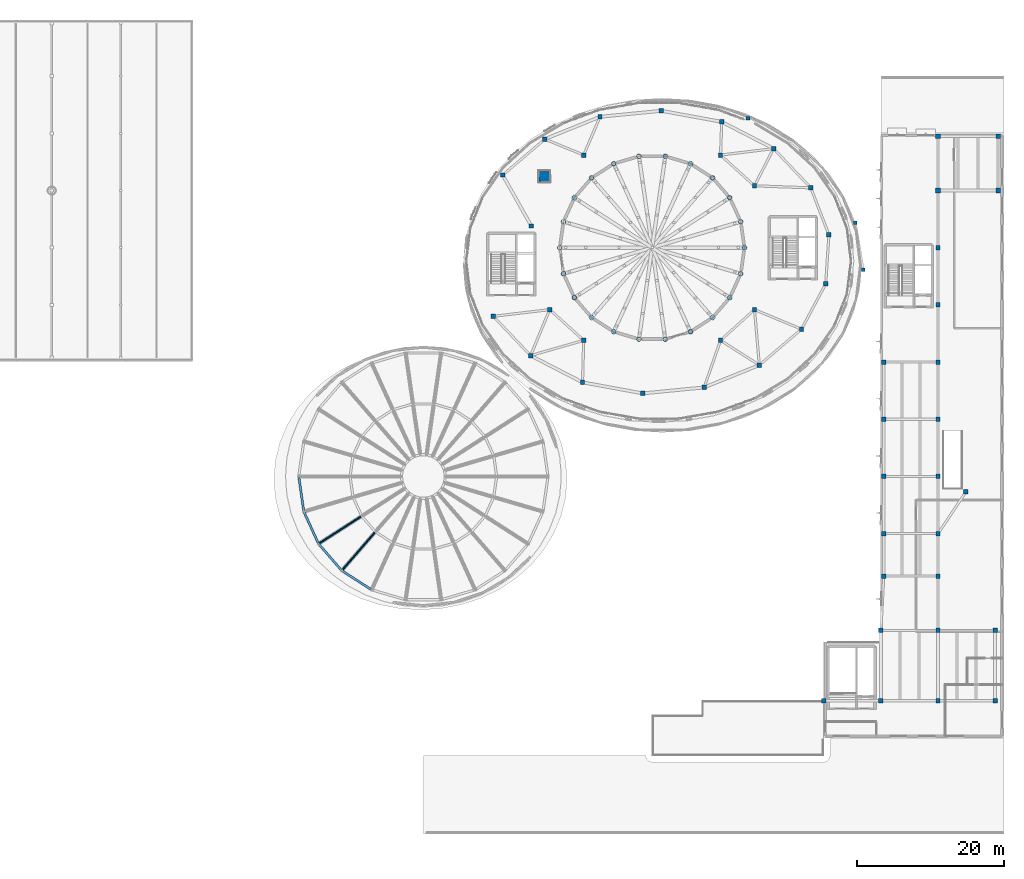
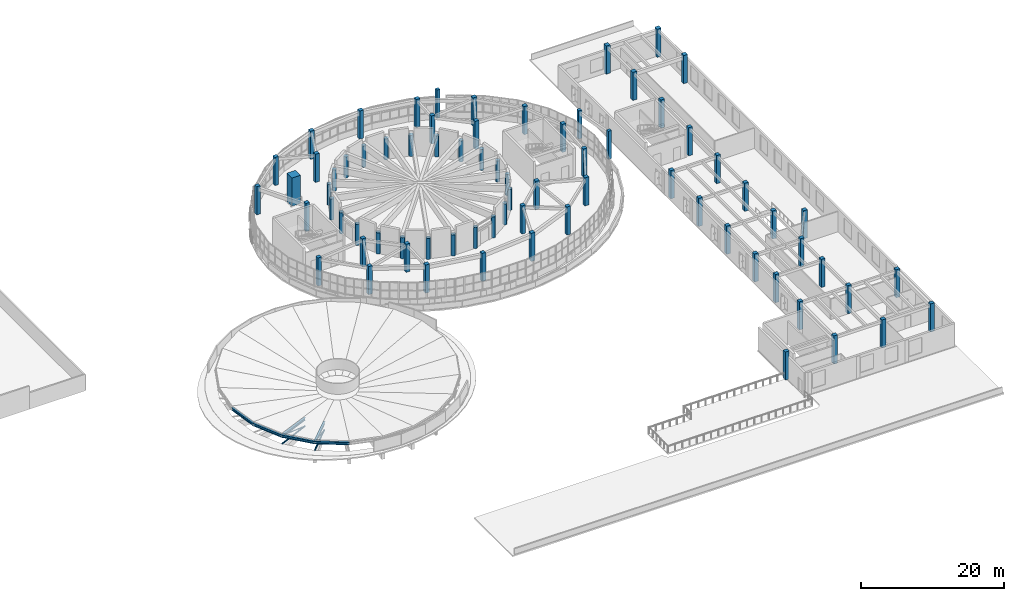
# One storey, part 1 of 69: 74 columns, 6 members, 4 beams.
"""IFC4 building model written with IfcOpenShell, lengths in metres."""

from ifc_helpers import new_model, si_unit, direction, frame, origin, origin_2d, place, context, subcontext, project, spatial, rectangle, circle, hollow_circle, i_section, extrude, material, material_profile, profile_set, type_object, element, save


model = new_model("IFC4")

# Units and contexts
model_context = context("Model", 3, precision=1e-05, world=origin(), true_north=direction((0.0, 1.0)))
body_context = subcontext(model_context, "Body", "Model", "MODEL_VIEW")
ifc_project = project(units=[si_unit("LENGTHUNIT", "METRE"), si_unit("AREAUNIT", "SQUARE_METRE"), si_unit("VOLUMEUNIT", "CUBIC_METRE"), si_unit("PLANEANGLEUNIT", "RADIAN"), si_unit("MASSUNIT", "GRAM", prefix="KILO")], contexts=[model_context])

# Site, building, storey
site_placement = place(None, origin())
site = spatial("IfcSite", under=ifc_project, at=site_placement, CompositionType="ELEMENT")
building_placement = place(site_placement, origin())
building = spatial("IfcBuilding", under=site, at=building_placement, Name="Pelvatis Terrace Science Centre", CompositionType="ELEMENT")
storey_placement = place(building_placement, frame((0.0, 0.0, 15.0)))
storey = spatial("IfcBuildingStorey", under=building, at=storey_placement, Name="L03", CompositionType="ELEMENT", Elevation=15.0)

# Columns
ifc_material_1 = material(Name="Concrete C40/50", Category="concrete")
ifc_material_profile_1 = material_profile(ifc_material_1, rectangle(XDim=1.39990234375, YDim=1.39990234375, at=origin_2d()), Name="RC-COL 1400x1400")
ifc_profile_set_1 = profile_set([ifc_material_profile_1], Name="Concrete C40/50")
column_type_1 = type_object("IfcColumnType", Name="COL-PIER-1400", PredefinedType="COLUMN", material=ifc_profile_set_1)
column_placement = place(storey_placement, frame((94.5, 95.5, 0.0), z_axis=(0.0, 0.0, 1.0), x_axis=(1.0, 0.0, 0.0)))
element("IfcColumn", 1, at=column_placement, inside=storey, type_object=column_type_1, Name="Column PIER-OBS (L03)", PredefinedType="COLUMN", context=body_context, shape_type="SweptSolid", body=[
    extrude(rectangle(XDim=1.39990234375, YDim=1.39990234375, at=origin_2d()), origin(), (0.0, 0.0, 1.0), 4.800048828125),
])
ifc_material_2 = material(Name="Concrete C40/50", Category="concrete")
ifc_material_profile_2 = material_profile(ifc_material_2, rectangle(XDim=0.5, YDim=0.5, at=origin_2d()), Name="RC-COL 500x500")
ifc_profile_set_2 = profile_set([ifc_material_profile_2], Name="Concrete C40/50")
column_type_2 = type_object("IfcColumnType", Name="COL-RC-500x500", PredefinedType="COLUMN", material=ifc_profile_set_2)
for number, where, z_axis, x_axis, name in (
    (2, (138.0, 82.800048828125, 0.0), (0.0, 0.0, 1.0), (1.0, 0.0, 0.0), "Column V1E-ST-01 (L03)"),
    (3, (136.910400390625, 89.1953125, 0.0), (0.0, 0.0, 1.0), (1.0, 0.0, 0.0), "Column V1E-ST-02 (L03)"),
    (4, (122.274658203125, 103.448486328125, 0.0), (0.0, 0.0, 1.0), (1.0, 0.0, 0.0), "Column V1E-ST-05 (L03)"),
):
    element("IfcColumn", number, at=place(storey_placement, frame(where, z_axis=z_axis, x_axis=x_axis)), inside=storey, type_object=column_type_2, Name=name, PredefinedType="COLUMN", context=body_context, shape_type="SweptSolid", body=[
        extrude(rectangle(XDim=0.5, YDim=0.5, at=origin_2d()), origin(), (0.0, 0.0, 1.0), 4.800048828125),
    ])
ifc_material_3 = material(Name="Concrete C40/50", Category="concrete")
ifc_material_profile_3 = material_profile(ifc_material_3, rectangle(XDim=0.60009765625, YDim=0.60009765625, at=origin_2d()), Name="RC-COL 600x600")
ifc_profile_set_3 = profile_set([ifc_material_profile_3], Name="Concrete C40/50")
column_type_3 = type_object("IfcColumnType", Name="COL-RC-600x600", PredefinedType="COLUMN", material=ifc_profile_set_3)
for number, where, z_axis, x_axis, name in (
    (5, (133.31884765625, 87.552001953125, 0.0), (0.0, 0.0, 1.0), (1.0, 0.0, 0.0), "Column V1E-RF-01 (L03)"),
    (6, (130.8515625, 93.9619140625, 0.0), (0.0, 0.0, 1.0), (1.0, 0.0, 0.0), "Column V1E-RF-02 (L03)"),
    (7, (125.772705078125, 99.315185546875, 0.0), (0.0, 0.0, 1.0), (1.0, 0.0, 0.0), "Column V1E-RF-03 (L03)"),
    (8, (118.69482421875, 102.9658203125, 0.0), (0.0, 0.0, 1.0), (1.0, 0.0, 0.0), "Column V1E-RF-04 (L03)"),
    (9, (110.4716796875, 104.4736328125, 0.0), (0.0, 0.0, 1.0), (1.0, 0.0, 0.0), "Column V1E-RF-05 (L03)"),
    (10, (102.095458984375, 103.65673828125, 0.0), (0.0, 0.0, 1.0), (1.0, 0.0, 0.0), "Column V1E-RF-06 (L03)"),
    (11, (94.575927734375, 100.61376953125, 0.0), (0.0, 0.0, 1.0), (1.0, 0.0, 0.0), "Column V1E-RF-07 (L03)"),
    (12, (88.8203125, 95.71142578125, 0.0), (0.0, 0.0, 1.0), (1.0, 0.0, 0.0), "Column V1E-RF-08 (L03)"),
    (13, (87.548583984375, 76.43798828125, 0.0), (0.0, 0.0, 1.0), (1.0, 0.0, 0.0), "Column V1E-RF-11 (L03)"),
    (14, (92.62744140625, 71.0849609375, 0.0), (0.0, 0.0, 1.0), (1.0, 0.0, 0.0), "Column V1E-RF-12 (L03)"),
    (15, (99.705078125, 67.434326171875, 0.0), (0.0, 0.0, 1.0), (1.0, 0.0, 0.0), "Column V1E-RF-13 (L03)"),
    (16, (107.92822265625, 65.926513671875, 0.0), (0.0, 0.0, 1.0), (1.0, 0.0, 0.0), "Column V1E-RF-14 (L03)"),
    (17, (116.3046875, 66.743408203125, 0.0), (0.0, 0.0, 1.0), (1.0, 0.0, 0.0), "Column V1E-RF-15 (L03)"),
    (18, (123.82421875, 69.786376953125, 0.0), (0.0, 0.0, 1.0), (1.0, 0.0, 0.0), "Column V1E-RF-16 (L03)"),
    (19, (129.57958984375, 74.6884765625, 0.0), (0.0, 0.0, 1.0), (1.0, 0.0, 0.0), "Column V1E-RF-17 (L03)"),
    (20, (132.877197265625, 80.8583984375, 0.0), (0.0, 0.0, 1.0), (1.0, 0.0, 0.0), "Column V1E-RF-18 (L03)"),
    (21, (123.168701171875, 94.24462890625, 0.0), (0.0, 0.0, 1.0), (1.0, 0.0, 0.0), "Column V1E-IN-02 (L03)"),
    (22, (118.53369140625, 98.438232421875, 0.0), (0.0, 0.0, 1.0), (1.0, 0.0, 0.0), "Column V1E-IN-03 (L03)"),
    (23, (99.866455078125, 98.438232421875, 0.0), (0.0, 0.0, 1.0), (1.0, 0.0, 0.0), "Column V1E-IN-06 (L03)"),
    (24, (92.722900390625, 88.765380859375, 0.0), (0.0, 0.0, 1.0), (1.0, 0.0, 0.0), "Column V1E-IN-08 (L03)"),
    (25, (95.231201171875, 77.355224609375, 0.0), (0.0, 0.0, 1.0), (1.0, 0.0, 0.0), "Column V1E-IN-10 (L03)"),
    (26, (99.866455078125, 73.16162109375, 0.0), (0.0, 0.0, 1.0), (1.0, 0.0, 0.0), "Column V1E-IN-11 (L03)"),
    (27, (118.53369140625, 73.16162109375, 0.0), (0.0, 0.0, 1.0), (1.0, 0.0, 0.0), "Column V1E-IN-14 (L03)"),
    (28, (123.168701171875, 77.355224609375, 0.0), (0.0, 0.0, 1.0), (1.0, 0.0, 0.0), "Column V1E-IN-15 (L03)"),
    (29, (132.60009765625, 24.0, 0.0), (0.0, 0.0, 1.0), (1.0, 0.0, 0.0), "Column V5G-S-10-4 (L03)"),
    (30, (140.39990234375, 24.0, 0.0), (0.0, 0.0, 1.0), (1.0, 0.0, 0.0), "Column V5G-S-11-4 (L03)"),
    (31, (140.39990234375, 33.60009765625, 0.0), (0.0, 0.0, 1.0), (1.0, 0.0, 0.0), "Column V5G-S-11-5 (L03)"),
    (32, (148.199951171875, 24.0, 0.0), (0.0, 0.0, 1.0), (1.0, 0.0, 0.0), "Column V5G-S-12-4 (L03)"),
    (33, (148.199951171875, 33.60009765625, 0.0), (0.0, 0.0, 1.0), (1.0, 0.0, 0.0), "Column V5G-S-12-5 (L03)"),
    (34, (156.0, 24.0, 0.0), (0.0, 0.0, 1.0), (1.0, 0.0, 0.0), "Column V5G-S-13-4 (L03)"),
    (35, (156.0, 33.60009765625, 0.0), (0.0, 0.0, 1.0), (1.0, 0.0, 0.0), "Column V5G-S-13-5 (L03)"),
    (36, (140.800048828125, 41.0, 0.0), (0.0, 0.0, 1.0), (1.0, 0.0, 0.0), "Column V5G-E-2-1 (L03)"),
    (37, (140.800048828125, 46.800048828125, 0.0), (0.0, 0.0, 1.0), (1.0, 0.0, 0.0), "Column V5G-E-2-2 (L03)"),
    (38, (140.800048828125, 54.60009765625, 0.0), (0.0, 0.0, 1.0), (1.0, 0.0, 0.0), "Column V5G-E-2-3 (L03)"),
    (39, (140.800048828125, 62.39990234375, 0.0), (0.0, 0.0, 1.0), (1.0, 0.0, 0.0), "Column V5G-E-2-4 (L03)"),
    (40, (140.800048828125, 70.199951171875, 0.0), (0.0, 0.0, 1.0), (1.0, 0.0, 0.0), "Column V5G-E-2-5 (L03)"),
    (41, (148.199951171875, 41.0, 0.0), (0.0, 0.0, 1.0), (1.0, 0.0, 0.0), "Column V5G-E-3-1 (L03)"),
    (42, (148.199951171875, 46.800048828125, 0.0), (0.0, 0.0, 1.0), (1.0, 0.0, 0.0), "Column V5G-E-3-2 (L03)"),
    (43, (148.199951171875, 54.60009765625, 0.0), (0.0, 0.0, 1.0), (1.0, 0.0, 0.0), "Column V5G-E-3-3 (L03)"),
    (44, (148.199951171875, 62.39990234375, 0.0), (0.0, 0.0, 1.0), (1.0, 0.0, 0.0), "Column V5G-E-3-4 (L03)"),
    (45, (148.199951171875, 70.199951171875, 0.0), (0.0, 0.0, 1.0), (1.0, 0.0, 0.0), "Column V5G-E-3-5 (L03)"),
    (46, (148.199951171875, 78.0, 0.0), (0.0, 0.0, 1.0), (1.0, 0.0, 0.0), "Column V5G-E-3-6 (L03)"),
    (47, (148.199951171875, 85.800048828125, 0.0), (0.0, 0.0, 1.0), (1.0, 0.0, 0.0), "Column V5G-E-3-7 (L03)"),
    (48, (152.0, 52.5, 0.0), (0.0, 0.0, 1.0), (1.0, 0.0, 0.0), "Column SUPR2-21 (L03)"),
):
    element("IfcColumn", number, at=place(storey_placement, frame(where, z_axis=z_axis, x_axis=x_axis)), inside=storey, type_object=column_type_3, Name=name, PredefinedType="COLUMN", context=body_context, shape_type="SweptSolid", body=[
        extrude(rectangle(XDim=0.60009765625, YDim=0.60009765625, at=origin_2d()), origin(), (0.0, 0.0, 1.0), 4.800048828125),
    ])
ifc_material_4 = material(Name="Concrete C40/50", Category="concrete")
ifc_material_profile_4 = material_profile(ifc_material_4, rectangle(XDim=0.64990234375, YDim=0.64990234375, at=origin_2d()), Name="RC-COL 650x650")
ifc_profile_set_4 = profile_set([ifc_material_profile_4], Name="Concrete C40/50")
column_type_4 = type_object("IfcColumnType", Name="COL-RC-650x650", PredefinedType="COLUMN", material=ifc_profile_set_4)
for number, where, z_axis, x_axis, name in (
    (49, (148.199951171875, 93.60009765625, 0.0), (0.0, 0.0, 1.0), (1.0, 0.0, 0.0), "Column V5G-E-3-8 (L03)"),
    (50, (148.199951171875, 101.0, 0.0), (0.0, 0.0, 1.0), (1.0, 0.0, 0.0), "Column V5G-E-3-9 (L03)"),
    (51, (156.39990234375, 93.60009765625, 0.0), (0.0, 0.0, 1.0), (1.0, 0.0, 0.0), "Column V5G-E-4-8 (L03)"),
    (52, (156.39990234375, 101.0, 0.0), (0.0, 0.0, 1.0), (1.0, 0.0, 0.0), "Column V5G-E-4-9 (L03)"),
):
    element("IfcColumn", number, at=place(storey_placement, frame(where, z_axis=z_axis, x_axis=x_axis)), inside=storey, type_object=column_type_4, Name=name, PredefinedType="COLUMN", context=body_context, shape_type="SweptSolid", body=[
        extrude(rectangle(XDim=0.64990234375, YDim=0.64990234375, at=origin_2d()), origin(), (0.0, 0.0, 1.0), 4.800048828125),
    ])
ifc_material_5 = material(Name="Concrete C40/50", Category="concrete")
ifc_material_profile_5 = material_profile(ifc_material_5, circle(Radius=0.324951171875, at=origin_2d()), Name="RC-RCOL D650")
ifc_profile_set_5 = profile_set([ifc_material_profile_5], Name="Concrete C40/50")
column_type_5 = type_object("IfcColumnType", Name="COL-RND-D650", PredefinedType="COLUMN", material=ifc_profile_set_5)
for number, where, z_axis, x_axis, name in (
    (53, (121.800048828125, 85.800048828125, 0.0), (0.0, 0.0, 1.0), (1.0, 0.0, 0.0), "Column V1D-01 (L03)"),
    (54, (121.28955078125, 89.349853515625, 0.0), (0.0, 0.0, 1.0), (1.0, 0.0, 0.0), "Column V1D-02 (L03)"),
    (55, (119.7998046875, 92.612060546875, 0.0), (0.0, 0.0, 1.0), (1.0, 0.0, 0.0), "Column V1D-03 (L03)"),
    (56, (117.451171875, 95.322509765625, 0.0), (0.0, 0.0, 1.0), (1.0, 0.0, 0.0), "Column V1D-04 (L03)"),
    (57, (114.43408203125, 97.261474609375, 0.0), (0.0, 0.0, 1.0), (1.0, 0.0, 0.0), "Column V1D-05 (L03)"),
    (58, (110.9931640625, 98.271728515625, 0.0), (0.0, 0.0, 1.0), (1.0, 0.0, 0.0), "Column V1D-06 (L03)"),
    (59, (107.40673828125, 98.271728515625, 0.0), (0.0, 0.0, 1.0), (1.0, 0.0, 0.0), "Column V1D-07 (L03)"),
    (60, (103.9658203125, 97.261474609375, 0.0), (0.0, 0.0, 1.0), (1.0, 0.0, 0.0), "Column V1D-08 (L03)"),
    (61, (100.94873046875, 95.322509765625, 0.0), (0.0, 0.0, 1.0), (1.0, 0.0, 0.0), "Column V1D-09 (L03)"),
    (62, (98.60009765625, 92.612060546875, 0.0), (0.0, 0.0, 1.0), (1.0, 0.0, 0.0), "Column V1D-10 (L03)"),
    (63, (97.1103515625, 89.349853515625, 0.0), (0.0, 0.0, 1.0), (1.0, 0.0, 0.0), "Column V1D-11 (L03)"),
    (64, (96.60009765625, 85.800048828125, 0.0), (0.0, 0.0, 1.0), (1.0, 0.0, 0.0), "Column V1D-12 (L03)"),
    (65, (97.1103515625, 82.250244140625, 0.0), (0.0, 0.0, 1.0), (1.0, 0.0, 0.0), "Column V1D-13 (L03)"),
    (66, (98.60009765625, 78.98779296875, 0.0), (0.0, 0.0, 1.0), (1.0, 0.0, 0.0), "Column V1D-14 (L03)"),
    (67, (100.94873046875, 76.277587890625, 0.0), (0.0, 0.0, 1.0), (1.0, 0.0, 0.0), "Column V1D-15 (L03)"),
    (68, (103.9658203125, 74.338623046875, 0.0), (0.0, 0.0, 1.0), (1.0, 0.0, 0.0), "Column V1D-16 (L03)"),
    (69, (107.40673828125, 73.328125, 0.0), (0.0, 0.0, 1.0), (1.0, 0.0, 0.0), "Column V1D-17 (L03)"),
    (70, (110.9931640625, 73.328125, 0.0), (0.0, 0.0, 1.0), (1.0, 0.0, 0.0), "Column V1D-18 (L03)"),
    (71, (114.43408203125, 74.338623046875, 0.0), (0.0, 0.0, 1.0), (1.0, 0.0, 0.0), "Column V1D-19 (L03)"),
    (72, (117.451171875, 76.277587890625, 0.0), (0.0, 0.0, 1.0), (1.0, 0.0, 0.0), "Column V1D-20 (L03)"),
    (73, (119.7998046875, 78.98779296875, 0.0), (0.0, 0.0, 1.0), (1.0, 0.0, 0.0), "Column V1D-21 (L03)"),
    (74, (121.28955078125, 82.250244140625, 0.0), (0.0, 0.0, 1.0), (1.0, 0.0, 0.0), "Column V1D-22 (L03)"),
):
    element("IfcColumn", number, at=place(storey_placement, frame(where, z_axis=z_axis, x_axis=x_axis)), inside=storey, type_object=column_type_5, Name=name, PredefinedType="COLUMN", context=body_context, shape_type="SweptSolid", body=[
        extrude(circle(Radius=0.324951171875, at=origin_2d()), origin(), (0.0, 0.0, 1.0), 3.60009765625),
    ])

# Beams
ifc_material_6 = material(Name="Structural steel S355", Category="steel")
ifc_material_profile_6 = material_profile(ifc_material_6, i_section(OverallWidth=0.300048828125, OverallDepth=0.43994140625, WebThickness=0.011474609375, FlangeThickness=0.02099609375, FilletRadius=0.027099609375, at=origin_2d()), Name="HEA 450")
ifc_profile_set_6 = profile_set([ifc_material_profile_6], Name="Structural steel S355")
beam_type = type_object("IfcBeamType", Name="BM-STL-HEA450", PredefinedType="BEAM", material=ifc_profile_set_6)
beam_1_placement = place(storey_placement, frame((61.0, 54.60009765625, 1.39990234375), z_axis=(0.142332506918, -0.989818901352, 0.0), x_axis=(0.989818901352, 0.142332506918, 0.0)))
element("IfcBeam", 75, at=beam_1_placement, inside=storey, type_object=beam_type, Name="Bowl roof circumferential out member 12", PredefinedType="BEAM", context=body_context, shape_type="SweptSolid", body=[
    extrude(i_section(OverallWidth=0.300048828125, OverallDepth=0.43994140625, WebThickness=0.011474609375, FlangeThickness=0.02099609375, FilletRadius=0.027099609375, at=origin_2d()), origin(), (0.0, 0.0, 1.0), 4.8388671875),
])
beam_2_placement = place(storey_placement, frame((61.688720703125, 49.810546875, 1.39990234375), z_axis=(0.415410348173, -0.909634125696, 0.0), x_axis=(0.909634125696, 0.415410348173, 0.0)))
element("IfcBeam", 76, at=beam_2_placement, inside=storey, type_object=beam_type, Name="Bowl roof circumferential out member 13", PredefinedType="BEAM", context=body_context, shape_type="SweptSolid", body=[
    extrude(i_section(OverallWidth=0.300048828125, OverallDepth=0.43994140625, WebThickness=0.011474609375, FlangeThickness=0.02099609375, FilletRadius=0.027099609375, at=origin_2d()), origin(), (0.0, 0.0, 1.0), 4.838623046875),
])
beam_3_placement = place(storey_placement, frame((63.69873046875, 45.4091796875, 1.39990234375), z_axis=(0.654849858597, -0.75575899776, 0.0), x_axis=(0.75575899776, 0.654849858597, 0.0)))
element("IfcBeam", 77, at=beam_3_placement, inside=storey, type_object=beam_type, Name="Bowl roof circumferential out member 14", PredefinedType="BEAM", context=body_context, shape_type="SweptSolid", body=[
    extrude(i_section(OverallWidth=0.300048828125, OverallDepth=0.43994140625, WebThickness=0.011474609375, FlangeThickness=0.02099609375, FilletRadius=0.027099609375, at=origin_2d()), origin(), (0.0, 0.0, 1.0), 4.8388671875),
])
beam_4_placement = place(storey_placement, frame((66.867431640625, 41.752197265625, 1.39990234375), z_axis=(0.841255517216, -0.540637729681, 0.0), x_axis=(0.540637729681, 0.841255517216, 0.0)))
element("IfcBeam", 78, at=beam_4_placement, inside=storey, type_object=beam_type, Name="Bowl roof circumferential out member 15", PredefinedType="BEAM", context=body_context, shape_type="SweptSolid", body=[
    extrude(i_section(OverallWidth=0.300048828125, OverallDepth=0.43994140625, WebThickness=0.011474609375, FlangeThickness=0.02099609375, FilletRadius=0.027099609375, at=origin_2d()), origin(), (0.0, 0.0, 1.0), 4.838623046875),
])

# Members
ifc_material_7 = material(Name="Structural steel S355", Category="steel")
ifc_material_profile_7 = material_profile(ifc_material_7, hollow_circle(Radius=0.084228515625, WallThickness=0.00634765625, at=origin_2d()), Name="CHS 168.3x6.3")
ifc_profile_set_7 = profile_set([ifc_material_profile_7], Name="Structural steel S355")
member_type_1 = type_object("IfcMemberType", Name="MEM-BRC-CHS168", PredefinedType="BRACE", material=ifc_profile_set_7)
member_1_placement = place(storey_placement, frame((63.69873046875, 45.4091796875, 1.39990234375), z_axis=(0.78489078209, 0.504419237694, -0.359871772767), x_axis=(-0.540641242766, 0.841253259501, 0.0)))
element("IfcMember", 79, at=member_1_placement, inside=storey, type_object=member_type_1, Name="Bowl truss web brace 14.3", PredefinedType="BRACE", context=body_context, shape_type="SweptSolid", body=[
    extrude(hollow_circle(Radius=0.084228515625, WallThickness=0.00634765625, at=origin_2d()), origin(), (0.0, 0.0, 1.0), 7.50244140625),
])
member_2_placement = place(storey_placement, frame((66.867431640625, 41.752197265625, 1.39990234375), z_axis=(0.610982099152, 0.705122023143, -0.359866373803), x_axis=(-0.755754672976, 0.654854849776, 0.0)))
element("IfcMember", 80, at=member_2_placement, inside=storey, type_object=member_type_1, Name="Bowl truss web brace 15.3", PredefinedType="BRACE", context=body_context, shape_type="SweptSolid", body=[
    extrude(hollow_circle(Radius=0.084228515625, WallThickness=0.00634765625, at=origin_2d()), origin(), (0.0, 0.0, 1.0), 7.502685546875),
])
ifc_material_8 = material(Name="Structural steel S355", Category="steel")
ifc_material_profile_8 = material_profile(ifc_material_8, hollow_circle(Radius=0.122314453125, WallThickness=0.010009765625, at=origin_2d()), Name="CHS 244.5x10.0")
ifc_profile_set_8 = profile_set([ifc_material_profile_8], Name="Structural steel S355")
member_type_2 = type_object("IfcMemberType", Name="MEM-CHD-CHS244", PredefinedType="CHORD", material=ifc_profile_set_8)
for number, where, z_axis, x_axis, name in (
    (81, (63.69873046875, 45.4091796875, 0.0), (0.82710922043, 0.531551410692, -0.182601849038), (-0.540641242766, 0.841253259501, 0.0), "Bowl truss outer bottom chord 14"),
    (82, (66.867431640625, 41.752197265625, 0.0), (0.643845107793, 0.743048553513, -0.182598806934), (-0.755754672976, 0.654854849776, 0.0), "Bowl truss outer bottom chord 15"),
):
    element("IfcMember", number, at=place(storey_placement, frame(where, z_axis=z_axis, x_axis=x_axis)), inside=storey, type_object=member_type_2, Name=name, PredefinedType="CHORD", context=body_context, shape_type="SweptSolid", body=[
        extrude(hollow_circle(Radius=0.122314453125, WallThickness=0.010009765625, at=origin_2d()), origin(), (0.0, 0.0, 1.0), 7.11962890625),
    ])
ifc_material_9 = material(Name="Structural steel S355", Category="steel")
ifc_material_profile_9 = material_profile(ifc_material_9, i_section(OverallWidth=0.300048828125, OverallDepth=0.389892578125, WebThickness=0.010986328125, FlangeThickness=0.01904296875, FilletRadius=0.027099609375, at=origin_2d()), Name="HEA 400")
ifc_profile_set_9 = profile_set([ifc_material_profile_9], Name="Structural steel S355")
member_type_3 = type_object("IfcMemberType", Name="MEM-CHD-HEA400", PredefinedType="CHORD", material=ifc_profile_set_9)
member_3_placement = place(storey_placement, frame((63.69873046875, 45.4091796875, 1.39990234375), z_axis=(0.824461814011, 0.529850024004, -0.198800576712), x_axis=(-0.540641242766, 0.841253259501, 0.0)))
element("IfcMember", 83, at=member_3_placement, inside=storey, type_object=member_type_3, Name="Bowl truss outer top chord 14", PredefinedType="CHORD", context=body_context, shape_type="SweptSolid", body=[
    extrude(i_section(OverallWidth=0.300048828125, OverallDepth=0.389892578125, WebThickness=0.010986328125, FlangeThickness=0.01904296875, FilletRadius=0.027099609375, at=origin_2d()), origin(), (0.0, 0.0, 1.0), 7.142333984375),
])
member_4_placement = place(storey_placement, frame((66.867431640625, 41.752197265625, 1.39990234375), z_axis=(0.641784360423, 0.740670286856, -0.198797285909), x_axis=(-0.755754672976, 0.654854849776, 0.0)))
element("IfcMember", 84, at=member_4_placement, inside=storey, type_object=member_type_3, Name="Bowl truss outer top chord 15", PredefinedType="CHORD", context=body_context, shape_type="SweptSolid", body=[
    extrude(i_section(OverallWidth=0.300048828125, OverallDepth=0.389892578125, WebThickness=0.010986328125, FlangeThickness=0.01904296875, FilletRadius=0.027099609375, at=origin_2d()), origin(), (0.0, 0.0, 1.0), 7.142578125),
])

save(model, "model.ifc")
